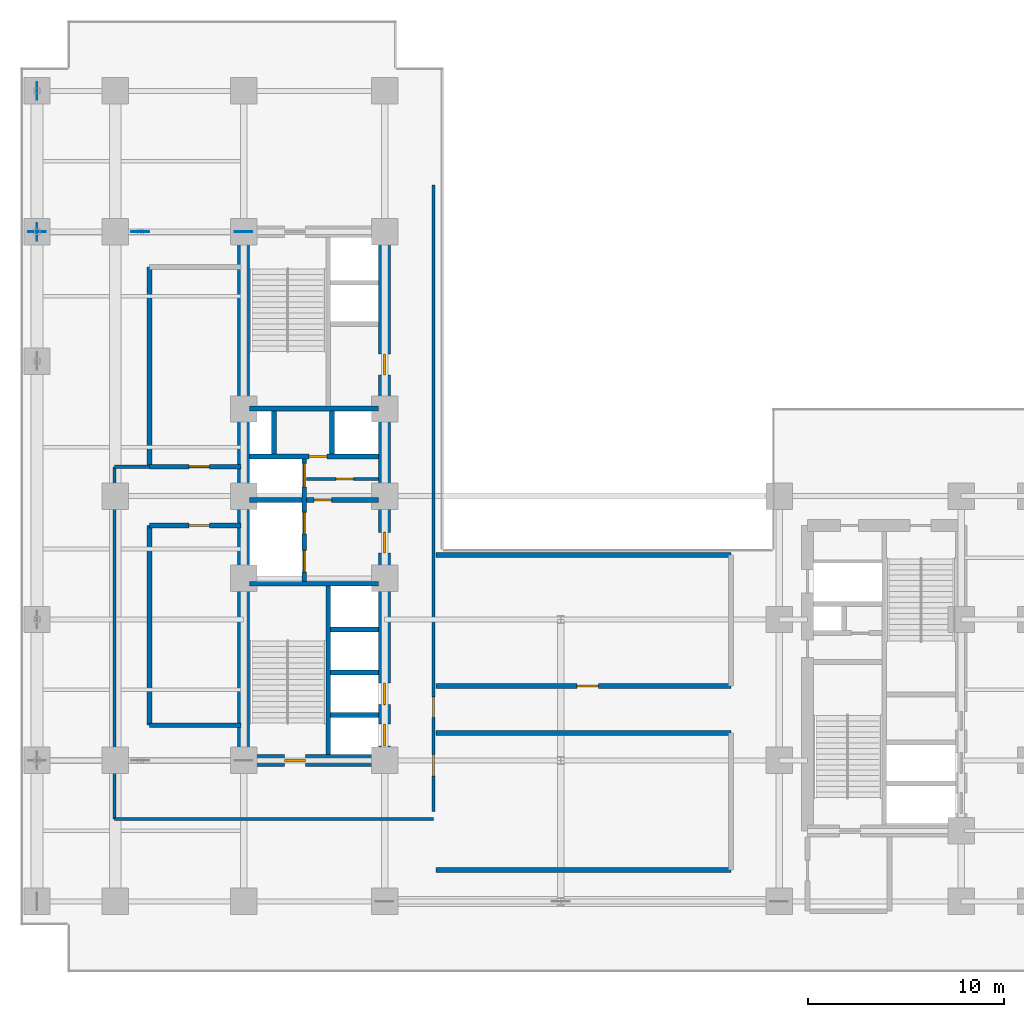
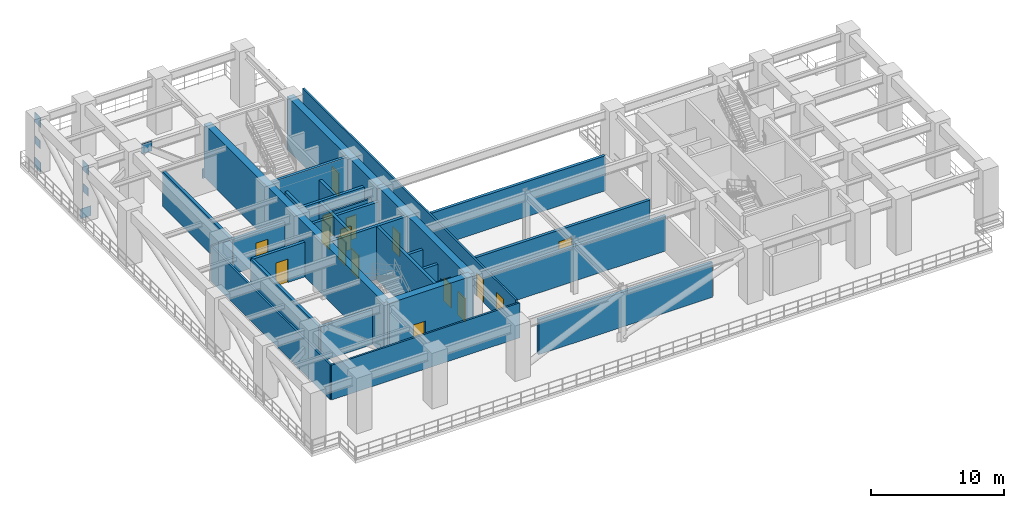
# One storey, part 6 of 15: 29 walls, 16 doors, 8 plates, 16 openings.
"""IFC4 building model written with IfcOpenShell, lengths in metres."""

from ifc_helpers import new_model, entity, si_unit, converted_unit, direction, frame, origin_with_axes, origin_2d_with_axis, place, context, subcontext, project, spatial, polyline, rectangle, outline, extrude, material, layer, layer_set, type_object, element, fill, save


model = new_model("IFC4")

# Units and contexts
model_context = context("Model", 3, precision=1e-05, world=origin_with_axes(), true_north=direction((0.0, 1.0)))
body_context = subcontext(model_context, "Body", "Model", "MODEL_VIEW")
ifc_project = project(units=[si_unit("LENGTHUNIT", "METRE"), si_unit("AREAUNIT", "SQUARE_METRE"), si_unit("VOLUMEUNIT", "CUBIC_METRE"), converted_unit("PLANEANGLEUNIT", "DEGREE", entity("IfcPlaneAngleMeasure", 0.017453292519943295), si_unit("PLANEANGLEUNIT", "RADIAN"), dimensions=[0, 0, 0, 0, 0, 0, 0]), si_unit("MASSUNIT", "GRAM", prefix="KILO"), si_unit("THERMODYNAMICTEMPERATUREUNIT", "KELVIN")], contexts=[model_context])

# Site, building, storey
site_placement = place(None, origin_with_axes())
site = spatial("IfcSite", under=ifc_project, at=site_placement, CompositionType="ELEMENT")
building_placement = place(site_placement, origin_with_axes())
building = spatial("IfcBuilding", under=site, at=building_placement, Name="Varnlund Millrace Tower", CompositionType="ELEMENT")
storey_placement = place(building_placement, frame((0.0, 0.0, 79.5), z_axis=(0.0, 0.0, 1.0), x_axis=(1.0, 0.0, 0.0)))
storey = spatial("IfcBuildingStorey", under=building, at=storey_placement, Name="L19", CompositionType="ELEMENT", Elevation=79.5)

# Plates
ifc_material_1 = material(Name="Steel ASTM A572 Grade 50", Category="steel")
ifc_layer_1 = layer(ifc_material_1, 0.04, Name="Steel ASTM A572 Grade 50")
ifc_layer_set_1 = layer_set([ifc_layer_1], Name="Steel ASTM A572 Grade 50")
plate_type_1 = type_object("IfcPlateType", Name="Type-Gusset-Plate-900X900X40", PredefinedType="SHEET", material=ifc_layer_set_1)
for number, where, z_axis, x_axis, name in (
    (1, (0.85, 37.8, -0.1), (0.0, 0.0, 1.0), (1.0, 0.0, 0.0), "Type-Gusset-Plate-900X900X40"),
    (2, (0.85, 37.8, 4.0), (0.0, 0.0, 1.0), (0.0, 1.0, 0.0), "Type-Gusset-Plate-900X900X40"),
    (3, (0.85, 45.0, -0.1), (0.0, 0.0, 1.0), (0.0, 1.0, 0.0), "Type-Gusset-Plate-900X900X40"),
    (4, (0.85, 45.0, 4.0), (0.0, 0.0, 1.0), (0.0, 1.0, 0.0), "Type-Gusset-Plate-900X900X40"),
    (5, (6.125, 37.8, 4.0), (0.0, 0.0, 1.0), (1.0, 0.0, 0.0), "Type-Gusset-Plate-900X900X40"),
    (6, (11.4, 37.8, -0.1), (0.0, 0.0, 1.0), (1.0, 0.0, 0.0), "Type-Gusset-Plate-900X900X40"),
):
    element("IfcPlate", number, at=place(storey_placement, frame(where, z_axis=z_axis, x_axis=x_axis)), inside=storey, type_object=plate_type_1, Name=name, PredefinedType="SHEET", context=body_context, shape_type="SweptSolid", body=[
        extrude(rectangle(XDim=0.9, YDim=0.04, at=origin_2d_with_axis()), origin_with_axes(), (0.0, 0.0, 1.0), 0.9),
    ])
ifc_layer_2 = layer(ifc_material_1, 0.032, Name="Steel ASTM A572 Grade 50")
ifc_layer_set_2 = layer_set([ifc_layer_2], Name="Steel ASTM A572 Grade 50")
plate_type_2 = type_object("IfcPlateType", Name="Type-Stiffener-Plate-750X750X32", PredefinedType="USERDEFINED", material=ifc_layer_set_2)
for number, where, z_axis, x_axis, name in (
    (7, (0.85, 37.8, 2.025), (0.0, 0.0, 1.0), (0.0, 1.0, 0.0), "Type-Stiffener-Plate-750X750X32"),
    (8, (0.85, 45.0, 2.025), (0.0, 0.0, 1.0), (0.0, 1.0, 0.0), "Type-Stiffener-Plate-750X750X32"),
):
    element("IfcPlate", number, at=place(storey_placement, frame(where, z_axis=z_axis, x_axis=x_axis)), inside=storey, type_object=plate_type_2, Name=name, ObjectType="STIFFENER PLATE", PredefinedType="USERDEFINED", context=body_context, shape_type="SweptSolid", body=[
        extrude(rectangle(XDim=0.75, YDim=0.032, at=origin_2d_with_axis()), origin_with_axes(), (0.0, 0.0, 1.0), 0.75),
    ])

# Wall
ifc_material_2 = material(Name="Concrete C80/95", Category="concrete")
ifc_layer_3 = layer(ifc_material_2, 0.6, Name="Concrete C80/95")
ifc_layer_set_3 = layer_set([ifc_layer_3], Name="Concrete C80/95")
wall_type_1 = type_object("IfcWallType", Name="Type-CoreWall-Shear-600-C80", PredefinedType="SHEAR", material=ifc_layer_set_3)
wall_1_placement = place(storey_placement, frame((11.4, 10.8, 0.0), z_axis=(0.0, 0.0, 1.0), x_axis=(0.0, 1.0, 0.0)))
element("IfcWall", 9, at=wall_1_placement, inside=storey, type_object=wall_type_1, Name="Type-CoreWall-Shear-600-C80", PredefinedType="SHEAR", context=body_context, shape_type="SweptSolid", body=[
    extrude(outline(polyline([(0.0, -0.3), (27.0, -0.3), (27.0, 0.3), (0.0, 0.3), (0.0, -0.3)])), origin_with_axes(), (0.0, 0.0, 1.0), 4.86),
])

# Wall, opening, door
wall_2_placement = place(storey_placement, frame((11.4, 10.8, 0.0), z_axis=(0.0, 0.0, 1.0), x_axis=(1.0, 0.0, 0.0)))
wall_2 = element("IfcWall", 10, at=wall_2_placement, inside=storey, type_object=wall_type_1, Name="Type-CoreWall-Shear-600-C80", PredefinedType="SHEAR", context=body_context, shape_type="SweptSolid", body=[
    extrude(outline(polyline([(0.0, -0.3), (7.2, -0.3), (7.2, 0.3), (0.0, 0.3), (0.0, -0.3)])), origin_with_axes(), (0.0, 0.0, 1.0), 4.86),
])
opening_1_placement = place(wall_2_placement, frame((2.625, 0.0, 0.0), z_axis=(0.0, 0.0, 1.0), x_axis=(1.0, 0.0, 0.0)))
opening_1 = element("IfcOpeningElement", 11, at=opening_1_placement, cuts=wall_2, Name="Opening L19:DR-STA1", PredefinedType="OPENING", context=body_context, shape_type="SweptSolid", body=[
    extrude(rectangle(XDim=1.05, YDim=0.62, at=origin_2d_with_axis()), origin_with_axes(), (0.0, 0.0, 1.0), 2.15),
])
ifc_material_3 = material(Name="Fire-rated hollow steel door", Category="steel")
door_type_1 = type_object("IfcDoorType", Name="Type-FireDoor-Stair-1050X2150", OperationType="NOTDEFINED", PredefinedType="DOOR", material=ifc_material_3)
door_1_placement = place(wall_2_placement, frame((2.625, 0.0, 0.0), z_axis=(0.0, 0.0, 1.0), x_axis=(1.0, 0.0, 0.0)))
door_1 = element("IfcDoor", 12, at=door_1_placement, inside=storey, type_object=door_type_1, Name="Type-FireDoor-Stair-1050X2150", OperationType="SINGLE_SWING_LEFT", OverallHeight=2.15, OverallWidth=1.05, PredefinedType="DOOR", context=body_context, shape_type="SweptSolid", body=[
    extrude(rectangle(XDim=1.05, YDim=0.09, at=origin_2d_with_axis()), origin_with_axes(), (0.0, 0.0, 1.0), 2.15),
])
fill(opening_1, door_1)

# Wall, openings, doors
wall_3_placement = place(storey_placement, frame((18.6, 10.8, 0.0), z_axis=(0.0, 0.0, 1.0), x_axis=(0.0, 1.0, 0.0)))
wall_3 = element("IfcWall", 13, at=wall_3_placement, inside=storey, type_object=wall_type_1, Name="Type-CoreWall-Shear-600-C80", PredefinedType="SHEAR", context=body_context, shape_type="SweptSolid", body=[
    extrude(outline(polyline([(0.0, -0.3), (13.5, -0.3), (13.5, 0.3), (0.0, 0.3), (0.0, -0.3)])), origin_with_axes(), (0.0, 0.0, 1.0), 4.86),
])
opening_2_placement = place(wall_3_placement, frame((1.3, 0.0, 0.0), z_axis=(0.0, 0.0, 1.0), x_axis=(1.0, 0.0, 0.0)))
opening_2 = element("IfcOpeningElement", 14, at=opening_2_placement, cuts=wall_3, Name="Opening L19:LD-ELV-L1", PredefinedType="OPENING", context=body_context, shape_type="SweptSolid", body=[
    extrude(rectangle(XDim=1.1, YDim=0.62, at=origin_2d_with_axis()), origin_with_axes(), (0.0, 0.0, 1.0), 2.15),
])
opening_3_placement = place(wall_3_placement, frame((3.4, 0.0, 0.0), z_axis=(0.0, 0.0, 1.0), x_axis=(1.0, 0.0, 0.0)))
opening_3 = element("IfcOpeningElement", 15, at=opening_3_placement, cuts=wall_3, Name="Opening L19:LD-ELV-L2", PredefinedType="OPENING", context=body_context, shape_type="SweptSolid", body=[
    extrude(rectangle(XDim=1.1, YDim=0.62, at=origin_2d_with_axis()), origin_with_axes(), (0.0, 0.0, 1.0), 2.15),
])
opening_4_placement = place(wall_3_placement, frame((11.125, 0.0, 0.0), z_axis=(0.0, 0.0, 1.0), x_axis=(1.0, 0.0, 0.0)))
opening_4 = element("IfcOpeningElement", 16, at=opening_4_placement, cuts=wall_3, Name="Opening L19:DR-FFLOB-A", PredefinedType="OPENING", context=body_context, shape_type="SweptSolid", body=[
    extrude(rectangle(XDim=1.05, YDim=0.62, at=origin_2d_with_axis()), origin_with_axes(), (0.0, 0.0, 1.0), 2.15),
])
ifc_material_4 = material(Name="Smoke-barrier hollow steel fire door", Category="steel")
door_type_2 = type_object("IfcDoorType", Name="Type-FireDoor-Lobby-1050X2150", OperationType="NOTDEFINED", PredefinedType="DOOR", material=ifc_material_4)
door_2_placement = place(wall_3_placement, frame((11.125, 0.0, 0.0), z_axis=(0.0, 0.0, 1.0), x_axis=(1.0, 0.0, 0.0)))
door_2 = element("IfcDoor", 17, at=door_2_placement, inside=storey, type_object=door_type_2, Name="Type-FireDoor-Lobby-1050X2150", OperationType="SINGLE_SWING_LEFT", OverallHeight=2.15, OverallWidth=1.05, PredefinedType="DOOR", context=body_context, shape_type="SweptSolid", body=[
    extrude(rectangle(XDim=1.05, YDim=0.09, at=origin_2d_with_axis()), origin_with_axes(), (0.0, 0.0, 1.0), 2.15),
])
fill(opening_4, door_2)
ifc_material_5 = material(Name="Stainless and architectural bronze sliding landing door")
door_type_3 = type_object("IfcDoorType", Name="Type-LiftLandingDoor-1100X2150", OperationType="NOTDEFINED", PredefinedType="DOOR", material=ifc_material_5)
door_3_placement = place(wall_3_placement, frame((1.3, 0.0, 0.0), z_axis=(0.0, 0.0, 1.0), x_axis=(1.0, 0.0, 0.0)))
door_3 = element("IfcDoor", 18, at=door_3_placement, inside=storey, type_object=door_type_3, Name="Type-LiftLandingDoor-1100X2150", OperationType="SLIDING_TO_LEFT", OverallHeight=2.15, OverallWidth=1.1, PredefinedType="DOOR", context=body_context, shape_type="SweptSolid", body=[
    extrude(rectangle(XDim=1.1, YDim=0.09, at=origin_2d_with_axis()), origin_with_axes(), (0.0, 0.0, 1.0), 2.15),
])
fill(opening_2, door_3)
door_4_placement = place(wall_3_placement, frame((3.4, 0.0, 0.0), z_axis=(0.0, 0.0, 1.0), x_axis=(1.0, 0.0, 0.0)))
door_4 = element("IfcDoor", 19, at=door_4_placement, inside=storey, type_object=door_type_3, Name="Type-LiftLandingDoor-1100X2150", OperationType="SLIDING_TO_RIGHT", OverallHeight=2.15, OverallWidth=1.1, PredefinedType="DOOR", context=body_context, shape_type="SweptSolid", body=[
    extrude(rectangle(XDim=1.1, YDim=0.09, at=origin_2d_with_axis()), origin_with_axes(), (0.0, 0.0, 1.0), 2.15),
])
fill(opening_3, door_4)

# Wall, opening, door
wall_4_placement = place(storey_placement, frame((18.6, 24.3, 0.0), z_axis=(0.0, 0.0, 1.0), x_axis=(0.0, 1.0, 0.0)))
wall_4 = element("IfcWall", 20, at=wall_4_placement, inside=storey, type_object=wall_type_1, Name="Type-CoreWall-Shear-600-C80", PredefinedType="SHEAR", context=body_context, shape_type="SweptSolid", body=[
    extrude(outline(polyline([(0.0, -0.3), (13.5, -0.3), (13.5, 0.3), (0.0, 0.3), (0.0, -0.3)])), origin_with_axes(), (0.0, 0.0, 1.0), 4.86),
])
opening_5_placement = place(wall_4_placement, frame((6.725, 0.0, 0.0), z_axis=(0.0, 0.0, 1.0), x_axis=(1.0, 0.0, 0.0)))
opening_5 = element("IfcOpeningElement", 21, at=opening_5_placement, cuts=wall_4, Name="Opening L19:DR-CA-WC1", PredefinedType="OPENING", context=body_context, shape_type="SweptSolid", body=[
    extrude(rectangle(XDim=1.05, YDim=0.62, at=origin_2d_with_axis()), origin_with_axes(), (0.0, 0.0, 1.0), 2.15),
])
door_5_placement = place(wall_4_placement, frame((6.725, 0.0, 0.0), z_axis=(0.0, 0.0, 1.0), x_axis=(1.0, 0.0, 0.0)))
door_5 = element("IfcDoor", 22, at=door_5_placement, inside=storey, type_object=door_type_2, Name="Type-FireDoor-Lobby-1050X2150", OperationType="SINGLE_SWING_LEFT", OverallHeight=2.15, OverallWidth=1.05, PredefinedType="DOOR", context=body_context, shape_type="SweptSolid", body=[
    extrude(rectangle(XDim=1.05, YDim=0.09, at=origin_2d_with_axis()), origin_with_axes(), (0.0, 0.0, 1.0), 2.15),
])
fill(opening_5, door_5)

ifc_material_6 = material(Name="Fire-rated gypsum board on cold-formed steel framing", Category="steel")
ifc_layer_4 = layer(ifc_material_6, 0.16, Name="Fire-rated gypsum board on cold-formed steel framing")
ifc_layer_set_4 = layer_set([ifc_layer_4], Name="Fire-rated gypsum board on cold-formed steel framing")
wall_type_2 = type_object("IfcWallType", Name="Type-Partition-Corridor-160", PredefinedType="PARTITIONING", material=ifc_layer_set_4)
wall_5_placement = place(storey_placement, frame((14.62, 25.18, 0.0), z_axis=(0.0, 0.0, 1.0), x_axis=(1.0, 0.0, 0.0)))
wall_5 = element("IfcWall", 23, at=wall_5_placement, inside=storey, type_object=wall_type_2, Name="Type-Partition-Corridor-160", PredefinedType="PARTITIONING", context=body_context, shape_type="SweptSolid", body=[
    extrude(outline(polyline([(0.0, -0.08), (3.68, -0.08), (3.68, 0.08), (0.0, 0.08), (0.0, -0.08)])), origin_with_axes(), (0.0, 0.0, 1.0), 3.2),
])
opening_6_placement = place(wall_5_placement, frame((1.95, 0.0, 0.0), z_axis=(0.0, 0.0, 1.0), x_axis=(1.0, 0.0, 0.0)))
opening_6 = element("IfcOpeningElement", 24, at=opening_6_placement, cuts=wall_5, Name="Opening L19:DR-CA-SUB2", PredefinedType="OPENING", context=body_context, shape_type="SweptSolid", body=[
    extrude(rectangle(XDim=0.9, YDim=0.18, at=origin_2d_with_axis()), origin_with_axes(), (0.0, 0.0, 1.0), 2.15),
])
ifc_material_7 = material(Name="Painted steel riser and closet door", Category="steel")
door_type_4 = type_object("IfcDoorType", Name="Type-IntDoor-Closet-900X2150", OperationType="NOTDEFINED", PredefinedType="DOOR", material=ifc_material_7)
door_6_placement = place(wall_5_placement, frame((1.95, 0.0, 0.0), z_axis=(0.0, 0.0, 1.0), x_axis=(1.0, 0.0, 0.0)))
door_6 = element("IfcDoor", 25, at=door_6_placement, inside=storey, type_object=door_type_4, Name="Type-IntDoor-Closet-900X2150", OperationType="SINGLE_SWING_LEFT", OverallHeight=2.15, OverallWidth=0.9, PredefinedType="DOOR", context=body_context, shape_type="SweptSolid", body=[
    extrude(rectangle(XDim=0.9, YDim=0.09, at=origin_2d_with_axis()), origin_with_axes(), (0.0, 0.0, 1.0), 2.15),
])
fill(opening_6, door_6)

# Wall, openings, doors
wall_6_placement = place(storey_placement, frame((21.1, 8.2, 0.0), z_axis=(0.0, 0.0, 1.0), x_axis=(0.0, 1.0, 0.0)))
wall_6 = element("IfcWall", 26, at=wall_6_placement, inside=storey, type_object=wall_type_2, Name="Type-Partition-Corridor-160", PredefinedType="PARTITIONING", context=body_context, shape_type="SweptSolid", body=[
    extrude(outline(polyline([(0.0, -0.08), (32.0, -0.08), (32.0, 0.08), (0.0, 0.08), (0.0, -0.08)])), origin_with_axes(), (0.0, 0.0, 1.0), 3.2),
])
opening_7_placement = place(wall_6_placement, frame((5.325, 0.0, 0.0), z_axis=(0.0, 0.0, 1.0), x_axis=(1.0, 0.0, 0.0)))
opening_7 = element("IfcOpeningElement", 27, at=opening_7_placement, cuts=wall_6, Name="Opening L19:DR-PLT-XOVR", PredefinedType="OPENING", context=body_context, shape_type="SweptSolid", body=[
    extrude(rectangle(XDim=1.05, YDim=0.18, at=origin_2d_with_axis()), origin_with_axes(), (0.0, 0.0, 1.0), 2.15),
])
opening_8_placement = place(wall_6_placement, frame((2.35, 0.0, 0.0), z_axis=(0.0, 0.0, 1.0), x_axis=(1.0, 0.0, 0.0)))
opening_8 = element("IfcOpeningElement", 28, at=opening_8_placement, cuts=wall_6, Name="Opening L19:DR-PLT-HEX", PredefinedType="OPENING", context=body_context, shape_type="SweptSolid", body=[
    extrude(rectangle(XDim=1.1, YDim=0.18, at=origin_2d_with_axis()), origin_with_axes(), (0.0, 0.0, 1.0), 2.15),
])
door_7_placement = place(wall_6_placement, frame((5.325, 0.0, 0.0), z_axis=(0.0, 0.0, 1.0), x_axis=(1.0, 0.0, 0.0)))
door_7 = element("IfcDoor", 29, at=door_7_placement, inside=storey, type_object=door_type_2, Name="Type-FireDoor-Lobby-1050X2150", OperationType="SINGLE_SWING_LEFT", OverallHeight=2.15, OverallWidth=1.05, PredefinedType="DOOR", context=body_context, shape_type="SweptSolid", body=[
    extrude(rectangle(XDim=1.05, YDim=0.09, at=origin_2d_with_axis()), origin_with_axes(), (0.0, 0.0, 1.0), 2.15),
])
fill(opening_7, door_7)
ifc_material_8 = material(Name="Fire-rated mechanical room steel door", Category="steel")
door_type_5 = type_object("IfcDoorType", Name="Type-FireDoor-Plant-1100X2150", OperationType="NOTDEFINED", PredefinedType="DOOR", material=ifc_material_8)
door_8_placement = place(wall_6_placement, frame((2.35, 0.0, 0.0), z_axis=(0.0, 0.0, 1.0), x_axis=(1.0, 0.0, 0.0)))
door_8 = element("IfcDoor", 30, at=door_8_placement, inside=storey, type_object=door_type_5, Name="Type-FireDoor-Plant-1100X2150", OperationType="SINGLE_SWING_RIGHT", OverallHeight=2.15, OverallWidth=1.1, PredefinedType="DOOR", context=body_context, shape_type="SweptSolid", body=[
    extrude(rectangle(XDim=1.1, YDim=0.09, at=origin_2d_with_axis()), origin_with_axes(), (0.0, 0.0, 1.0), 2.15),
])
fill(opening_8, door_8)

# Walls
wall_7_placement = place(storey_placement, frame((4.8, 7.8, 0.0), z_axis=(0.0, 0.0, 1.0), x_axis=(0.0, 1.0, 0.0)))
element("IfcWall", 31, at=wall_7_placement, inside=storey, type_object=wall_type_2, Name="Type-Partition-Corridor-160", PredefinedType="PARTITIONING", context=body_context, shape_type="SweptSolid", body=[
    extrude(outline(polyline([(0.0, -0.08), (18.0, -0.08), (18.0, 0.08), (0.0, 0.08), (0.0, -0.08)])), origin_with_axes(), (0.0, 0.0, 1.0), 3.2),
])
wall_8_placement = place(storey_placement, frame((4.8, 7.8, 0.0), z_axis=(0.0, 0.0, 1.0), x_axis=(1.0, 0.0, 0.0)))
element("IfcWall", 32, at=wall_8_placement, inside=storey, type_object=wall_type_2, Name="Type-Partition-Corridor-160", PredefinedType="PARTITIONING", context=body_context, shape_type="SweptSolid", body=[
    extrude(outline(polyline([(0.0, -0.08), (16.3, -0.08), (16.3, 0.08), (0.0, 0.08), (0.0, -0.08)])), origin_with_axes(), (0.0, 0.0, 1.0), 3.2),
])
wall_9_placement = place(storey_placement, frame((4.8, 25.8, 0.0), z_axis=(0.0, 0.0, 1.0), x_axis=(1.0, 0.0, 0.0)))
element("IfcWall", 33, at=wall_9_placement, inside=storey, type_object=wall_type_2, Name="Type-Partition-Corridor-160", PredefinedType="PARTITIONING", context=body_context, shape_type="SweptSolid", body=[
    extrude(outline(polyline([(0.0, -0.08), (1.8, -0.08), (1.8, 0.08), (0.0, 0.08), (0.0, -0.08)])), origin_with_axes(), (0.0, 0.0, 1.0), 3.2),
])

# Wall, openings, doors
ifc_material_9 = material(Name="Concrete C60/75", Category="concrete")
ifc_layer_5 = layer(ifc_material_9, 0.25, Name="Concrete C60/75")
ifc_layer_set_5 = layer_set([ifc_layer_5], Name="Concrete C60/75")
wall_type_3 = type_object("IfcWallType", Name="Type-ShaftWall-Fire-250", PredefinedType="SOLIDWALL", material=ifc_layer_set_5)
wall_10_placement = place(storey_placement, frame((14.5, 19.95, 0.0), z_axis=(0.0, 0.0, 1.0), x_axis=(0.0, 1.0, 0.0)))
wall_10 = element("IfcWall", 34, at=wall_10_placement, inside=storey, type_object=wall_type_3, Name="Type-ShaftWall-Fire-250", PredefinedType="SOLIDWALL", context=body_context, shape_type="SweptSolid", body=[
    extrude(outline(polyline([(0.0, -0.125), (6.25, -0.125), (6.25, 0.125), (0.0, 0.125), (0.0, -0.125)])), origin_with_axes(), (0.0, 0.0, 1.0), 3.6),
])
opening_9_placement = place(wall_10_placement, frame((1.025, 0.0, 0.0), z_axis=(0.0, 0.0, 1.0), x_axis=(1.0, 0.0, 0.0)))
opening_9 = element("IfcOpeningElement", 35, at=opening_9_placement, cuts=wall_10, Name="Opening L19:LD-FSAE1", PredefinedType="OPENING", context=body_context, shape_type="SweptSolid", body=[
    extrude(rectangle(XDim=1.1, YDim=0.27, at=origin_2d_with_axis()), origin_with_axes(), (0.0, 0.0, 1.0), 2.15),
])
opening_10_placement = place(wall_10_placement, frame((2.975, 0.0, 0.0), z_axis=(0.0, 0.0, 1.0), x_axis=(1.0, 0.0, 0.0)))
opening_10 = element("IfcOpeningElement", 36, at=opening_10_placement, cuts=wall_10, Name="Opening L19:LD-FSAE2", PredefinedType="OPENING", context=body_context, shape_type="SweptSolid", body=[
    extrude(rectangle(XDim=1.1, YDim=0.27, at=origin_2d_with_axis()), origin_with_axes(), (0.0, 0.0, 1.0), 2.15),
])
opening_11_placement = place(wall_10_placement, frame((5.425, 0.0, 0.0), z_axis=(0.0, 0.0, 1.0), x_axis=(1.0, 0.0, 0.0)))
opening_11 = element("IfcOpeningElement", 37, at=opening_11_placement, cuts=wall_10, Name="Opening L19:LD-SRV1", PredefinedType="OPENING", context=body_context, shape_type="SweptSolid", body=[
    extrude(rectangle(XDim=1.2, YDim=0.27, at=origin_2d_with_axis()), origin_with_axes(), (0.0, 0.0, 1.0), 2.15),
])
door_9_placement = place(wall_10_placement, frame((1.025, 0.0, 0.0), z_axis=(0.0, 0.0, 1.0), x_axis=(1.0, 0.0, 0.0)))
door_9 = element("IfcDoor", 38, at=door_9_placement, inside=storey, type_object=door_type_3, Name="Type-LiftLandingDoor-1100X2150", OperationType="SLIDING_TO_LEFT", OverallHeight=2.15, OverallWidth=1.1, PredefinedType="DOOR", context=body_context, shape_type="SweptSolid", body=[
    extrude(rectangle(XDim=1.1, YDim=0.09, at=origin_2d_with_axis()), origin_with_axes(), (0.0, 0.0, 1.0), 2.15),
])
fill(opening_9, door_9)
door_10_placement = place(wall_10_placement, frame((2.975, 0.0, 0.0), z_axis=(0.0, 0.0, 1.0), x_axis=(1.0, 0.0, 0.0)))
door_10 = element("IfcDoor", 39, at=door_10_placement, inside=storey, type_object=door_type_3, Name="Type-LiftLandingDoor-1100X2150", OperationType="SLIDING_TO_RIGHT", OverallHeight=2.15, OverallWidth=1.1, PredefinedType="DOOR", context=body_context, shape_type="SweptSolid", body=[
    extrude(rectangle(XDim=1.1, YDim=0.09, at=origin_2d_with_axis()), origin_with_axes(), (0.0, 0.0, 1.0), 2.15),
])
fill(opening_10, door_10)
ifc_material_10 = material(Name="Heavy-duty freight sliding landing door")
door_type_6 = type_object("IfcDoorType", Name="Type-LiftLandingDoor-Service-1200X2150", OperationType="NOTDEFINED", PredefinedType="DOOR", material=ifc_material_10)
door_11_placement = place(wall_10_placement, frame((5.425, 0.0, 0.0), z_axis=(0.0, 0.0, 1.0), x_axis=(1.0, 0.0, 0.0)))
door_11 = element("IfcDoor", 40, at=door_11_placement, inside=storey, type_object=door_type_6, Name="Type-LiftLandingDoor-Service-1200X2150", OperationType="DOUBLE_DOOR_SLIDING", OverallHeight=2.15, OverallWidth=1.2, PredefinedType="DOOR", context=body_context, shape_type="SweptSolid", body=[
    extrude(rectangle(XDim=1.2, YDim=0.09, at=origin_2d_with_axis()), origin_with_axes(), (0.0, 0.0, 1.0), 2.15),
])
fill(opening_11, door_11)

# Wall, opening, door
wall_11_placement = place(storey_placement, frame((11.7, 24.1, 0.0), z_axis=(0.0, 0.0, 1.0), x_axis=(1.0, 0.0, 0.0)))
wall_11 = element("IfcWall", 41, at=wall_11_placement, inside=storey, type_object=wall_type_3, Name="Type-ShaftWall-Fire-250", PredefinedType="SOLIDWALL", context=body_context, shape_type="SweptSolid", body=[
    extrude(outline(polyline([(0.0, -0.125), (6.6, -0.125), (6.6, 0.125), (0.0, 0.125), (0.0, -0.125)])), origin_with_axes(), (0.0, 0.0, 1.0), 3.6),
])
opening_12_placement = place(wall_11_placement, frame((3.75, 0.0, 0.0), z_axis=(0.0, 0.0, 1.0), x_axis=(1.0, 0.0, 0.0)))
opening_12 = element("IfcOpeningElement", 42, at=opening_12_placement, cuts=wall_11, Name="Opening L19:DR-CA-SUB1", PredefinedType="OPENING", context=body_context, shape_type="SweptSolid", body=[
    extrude(rectangle(XDim=0.9, YDim=0.27, at=origin_2d_with_axis()), origin_with_axes(), (0.0, 0.0, 1.0), 2.15),
])
ifc_material_11 = material(Name="Fire-rated hollow steel service closet door", Category="steel")
door_type_7 = type_object("IfcDoorType", Name="Type-FireDoor-Closet-900X2150", OperationType="NOTDEFINED", PredefinedType="DOOR", material=ifc_material_11)
door_12_placement = place(wall_11_placement, frame((3.75, 0.0, 0.0), z_axis=(0.0, 0.0, 1.0), x_axis=(1.0, 0.0, 0.0)))
door_12 = element("IfcDoor", 43, at=door_12_placement, inside=storey, type_object=door_type_7, Name="Type-FireDoor-Closet-900X2150", OperationType="SINGLE_SWING_LEFT", OverallHeight=2.15, OverallWidth=0.9, PredefinedType="DOOR", context=body_context, shape_type="SweptSolid", body=[
    extrude(rectangle(XDim=0.9, YDim=0.09, at=origin_2d_with_axis()), origin_with_axes(), (0.0, 0.0, 1.0), 2.15),
])
fill(opening_12, door_12)

wall_12_placement = place(storey_placement, frame((11.7, 26.325, 0.0), z_axis=(0.0, 0.0, 1.0), x_axis=(1.0, 0.0, 0.0)))
wall_12 = element("IfcWall", 44, at=wall_12_placement, inside=storey, type_object=wall_type_3, Name="Type-ShaftWall-Fire-250", PredefinedType="SOLIDWALL", context=body_context, shape_type="SweptSolid", body=[
    extrude(outline(polyline([(0.0, -0.125), (6.6, -0.125), (6.6, 0.125), (0.0, 0.125), (0.0, -0.125)])), origin_with_axes(), (0.0, 0.0, 1.0), 3.6),
])
opening_13_placement = place(wall_12_placement, frame((3.5, 0.0, 0.0), z_axis=(0.0, 0.0, 1.0), x_axis=(1.0, 0.0, 0.0)))
opening_13 = element("IfcOpeningElement", 45, at=opening_13_placement, cuts=wall_12, Name="Opening L19:DR-CA-ELC", PredefinedType="OPENING", context=body_context, shape_type="SweptSolid", body=[
    extrude(rectangle(XDim=0.9, YDim=0.27, at=origin_2d_with_axis()), origin_with_axes(), (0.0, 0.0, 1.0), 2.15),
])
door_13_placement = place(wall_12_placement, frame((3.5, 0.0, 0.0), z_axis=(0.0, 0.0, 1.0), x_axis=(1.0, 0.0, 0.0)))
door_13 = element("IfcDoor", 46, at=door_13_placement, inside=storey, type_object=door_type_7, Name="Type-FireDoor-Closet-900X2150", OperationType="SINGLE_SWING_LEFT", OverallHeight=2.15, OverallWidth=0.9, PredefinedType="DOOR", context=body_context, shape_type="SweptSolid", body=[
    extrude(rectangle(XDim=0.9, YDim=0.09, at=origin_2d_with_axis()), origin_with_axes(), (0.0, 0.0, 1.0), 2.15),
])
fill(opening_13, door_13)

# Walls
for number, where, z_axis, x_axis, name in (
    (47, (12.96, 26.45, 0.0), (0.0, 0.0, 1.0), (0.0, 1.0, 0.0), "Type-ShaftWall-Fire-250"),
    (48, (15.925, 26.45, 0.0), (0.0, 0.0, 1.0), (0.0, 1.0, 0.0), "Type-ShaftWall-Fire-250"),
):
    element("IfcWall", number, at=place(storey_placement, frame(where, z_axis=z_axis, x_axis=x_axis)), inside=storey, type_object=wall_type_3, Name=name, PredefinedType="SOLIDWALL", context=body_context, shape_type="SweptSolid", body=[
        extrude(outline(polyline([(0.0, -0.125), (2.2, -0.125), (2.2, 0.125), (0.0, 0.125), (0.0, -0.125)])), origin_with_axes(), (0.0, 0.0, 1.0), 3.6),
    ])
for number, where, z_axis, x_axis, name in (
    (49, (15.84, 13.13, 0.0), (0.0, 0.0, 1.0), (1.0, 0.0, 0.0), "Type-ShaftWall-Fire-250"),
    (50, (15.84, 15.29, 0.0), (0.0, 0.0, 1.0), (1.0, 0.0, 0.0), "Type-ShaftWall-Fire-250"),
    (51, (15.84, 17.49, 0.0), (0.0, 0.0, 1.0), (1.0, 0.0, 0.0), "Type-ShaftWall-Fire-250"),
):
    element("IfcWall", number, at=place(storey_placement, frame(where, z_axis=z_axis, x_axis=x_axis)), inside=storey, type_object=wall_type_3, Name=name, PredefinedType="SOLIDWALL", context=body_context, shape_type="SweptSolid", body=[
        extrude(outline(polyline([(0.0, -0.125), (2.46, -0.125), (2.46, 0.125), (0.0, 0.125), (0.0, -0.125)])), origin_with_axes(), (0.0, 0.0, 1.0), 3.2),
    ])
wall_13_placement = place(storey_placement, frame((6.6, 12.6, 0.0), z_axis=(0.0, 0.0, 1.0), x_axis=(0.0, 1.0, 0.0)))
element("IfcWall", 52, at=wall_13_placement, inside=storey, type_object=wall_type_3, Name="Type-ShaftWall-Fire-250", PredefinedType="SOLIDWALL", context=body_context, shape_type="SweptSolid", body=[
    extrude(outline(polyline([(0.0, -0.125), (10.2, -0.125), (10.2, 0.125), (0.0, 0.125), (0.0, -0.125)])), origin_with_axes(), (0.0, 0.0, 1.0), 3.2),
])
wall_14_placement = place(storey_placement, frame((6.6, 12.6, 0.0), z_axis=(0.0, 0.0, 1.0), x_axis=(1.0, 0.0, 0.0)))
element("IfcWall", 53, at=wall_14_placement, inside=storey, type_object=wall_type_3, Name="Type-ShaftWall-Fire-250", PredefinedType="SOLIDWALL", context=body_context, shape_type="SweptSolid", body=[
    extrude(outline(polyline([(0.0, -0.125), (4.67, -0.125), (4.67, 0.125), (0.0, 0.125), (0.0, -0.125)])), origin_with_axes(), (0.0, 0.0, 1.0), 3.2),
])

# Wall, opening, door
wall_15_placement = place(storey_placement, frame((6.6, 22.8, 0.0), z_axis=(0.0, 0.0, 1.0), x_axis=(1.0, 0.0, 0.0)))
wall_15 = element("IfcWall", 54, at=wall_15_placement, inside=storey, type_object=wall_type_3, Name="Type-ShaftWall-Fire-250", PredefinedType="SOLIDWALL", context=body_context, shape_type="SweptSolid", body=[
    extrude(outline(polyline([(0.0, -0.125), (4.67, -0.125), (4.67, 0.125), (0.0, 0.125), (0.0, -0.125)])), origin_with_axes(), (0.0, 0.0, 1.0), 3.2),
])
opening_14_placement = place(wall_15_placement, frame((2.525, 0.0, 0.0), z_axis=(0.0, 0.0, 1.0), x_axis=(1.0, 0.0, 0.0)))
opening_14 = element("IfcOpeningElement", 55, at=opening_14_placement, cuts=wall_15, Name="Opening L19:DR-REF-S", PredefinedType="OPENING", context=body_context, shape_type="SweptSolid", body=[
    extrude(rectangle(XDim=1.05, YDim=0.27, at=origin_2d_with_axis()), origin_with_axes(), (0.0, 0.0, 1.0), 2.15),
])
door_14_placement = place(wall_15_placement, frame((2.525, 0.0, 0.0), z_axis=(0.0, 0.0, 1.0), x_axis=(1.0, 0.0, 0.0)))
door_14 = element("IfcDoor", 56, at=door_14_placement, inside=storey, type_object=door_type_2, Name="Type-FireDoor-Lobby-1050X2150", OperationType="SINGLE_SWING_LEFT", OverallHeight=2.15, OverallWidth=1.05, PredefinedType="DOOR", context=body_context, shape_type="SweptSolid", body=[
    extrude(rectangle(XDim=1.05, YDim=0.09, at=origin_2d_with_axis()), origin_with_axes(), (0.0, 0.0, 1.0), 2.15),
])
fill(opening_14, door_14)

# Wall
wall_16_placement = place(storey_placement, frame((6.6, 25.8, 0.0), z_axis=(0.0, 0.0, 1.0), x_axis=(0.0, 1.0, 0.0)))
element("IfcWall", 57, at=wall_16_placement, inside=storey, type_object=wall_type_3, Name="Type-ShaftWall-Fire-250", PredefinedType="SOLIDWALL", context=body_context, shape_type="SweptSolid", body=[
    extrude(outline(polyline([(0.0, -0.125), (10.2, -0.125), (10.2, 0.125), (0.0, 0.125), (0.0, -0.125)])), origin_with_axes(), (0.0, 0.0, 1.0), 3.2),
])

# Wall, opening, door
wall_17_placement = place(storey_placement, frame((6.6, 25.8, 0.0), z_axis=(0.0, 0.0, 1.0), x_axis=(1.0, 0.0, 0.0)))
wall_17 = element("IfcWall", 58, at=wall_17_placement, inside=storey, type_object=wall_type_3, Name="Type-ShaftWall-Fire-250", PredefinedType="SOLIDWALL", context=body_context, shape_type="SweptSolid", body=[
    extrude(outline(polyline([(0.0, -0.125), (4.67, -0.125), (4.67, 0.125), (0.0, 0.125), (0.0, -0.125)])), origin_with_axes(), (0.0, 0.0, 1.0), 3.2),
])
opening_15_placement = place(wall_17_placement, frame((2.525, 0.0, 0.0), z_axis=(0.0, 0.0, 1.0), x_axis=(1.0, 0.0, 0.0)))
opening_15 = element("IfcOpeningElement", 59, at=opening_15_placement, cuts=wall_17, Name="Opening L19:DR-REF-N", PredefinedType="OPENING", context=body_context, shape_type="SweptSolid", body=[
    extrude(rectangle(XDim=1.05, YDim=0.27, at=origin_2d_with_axis()), origin_with_axes(), (0.0, 0.0, 1.0), 2.15),
])
door_15_placement = place(wall_17_placement, frame((2.525, 0.0, 0.0), z_axis=(0.0, 0.0, 1.0), x_axis=(1.0, 0.0, 0.0)))
door_15 = element("IfcDoor", 60, at=door_15_placement, inside=storey, type_object=door_type_2, Name="Type-FireDoor-Lobby-1050X2150", OperationType="SINGLE_SWING_RIGHT", OverallHeight=2.15, OverallWidth=1.05, PredefinedType="DOOR", context=body_context, shape_type="SweptSolid", body=[
    extrude(rectangle(XDim=1.05, YDim=0.09, at=origin_2d_with_axis()), origin_with_axes(), (0.0, 0.0, 1.0), 2.15),
])
fill(opening_15, door_15)

# Walls
for number, where, z_axis, x_axis, name in (
    (61, (21.22, 21.3, 0.0), (0.0, 0.0, 1.0), (1.0, 0.0, 0.0), "Type-ShaftWall-Fire-250"),
    (62, (21.22, 12.2, 0.0), (0.0, 0.0, 1.0), (1.0, 0.0, 0.0), "Type-ShaftWall-Fire-250"),
):
    element("IfcWall", number, at=place(storey_placement, frame(where, z_axis=z_axis, x_axis=x_axis)), inside=storey, type_object=wall_type_3, Name=name, PredefinedType="SOLIDWALL", context=body_context, shape_type="SweptSolid", body=[
        extrude(outline(polyline([(0.0, -0.125), (15.08, -0.125), (15.08, 0.125), (0.0, 0.125), (0.0, -0.125)])), origin_with_axes(), (0.0, 0.0, 1.0), 3.2),
    ])

# Wall, opening, door
wall_18_placement = place(storey_placement, frame((21.22, 14.6, 0.0), z_axis=(0.0, 0.0, 1.0), x_axis=(1.0, 0.0, 0.0)))
wall_18 = element("IfcWall", 63, at=wall_18_placement, inside=storey, type_object=wall_type_3, Name="Type-ShaftWall-Fire-250", PredefinedType="SOLIDWALL", context=body_context, shape_type="SweptSolid", body=[
    extrude(outline(polyline([(0.0, -0.125), (15.08, -0.125), (15.08, 0.125), (0.0, 0.125), (0.0, -0.125)])), origin_with_axes(), (0.0, 0.0, 1.0), 3.2),
])
opening_16_placement = place(wall_18_placement, frame((7.75, 0.0, 0.0), z_axis=(0.0, 0.0, 1.0), x_axis=(1.0, 0.0, 0.0)))
opening_16 = element("IfcOpeningElement", 64, at=opening_16_placement, cuts=wall_18, Name="Opening L19:DR-PLT-AHU", PredefinedType="OPENING", context=body_context, shape_type="SweptSolid", body=[
    extrude(rectangle(XDim=1.1, YDim=0.27, at=origin_2d_with_axis()), origin_with_axes(), (0.0, 0.0, 1.0), 2.15),
])
door_16_placement = place(wall_18_placement, frame((7.75, 0.0, 0.0), z_axis=(0.0, 0.0, 1.0), x_axis=(1.0, 0.0, 0.0)))
door_16 = element("IfcDoor", 65, at=door_16_placement, inside=storey, type_object=door_type_5, Name="Type-FireDoor-Plant-1100X2150", OperationType="SINGLE_SWING_LEFT", OverallHeight=2.15, OverallWidth=1.1, PredefinedType="DOOR", context=body_context, shape_type="SweptSolid", body=[
    extrude(rectangle(XDim=1.1, YDim=0.09, at=origin_2d_with_axis()), origin_with_axes(), (0.0, 0.0, 1.0), 2.15),
])
fill(opening_16, door_16)

# Walls
wall_19_placement = place(storey_placement, frame((21.22, 5.2, 0.0), z_axis=(0.0, 0.0, 1.0), x_axis=(1.0, 0.0, 0.0)))
element("IfcWall", 66, at=wall_19_placement, inside=storey, type_object=wall_type_3, Name="Type-ShaftWall-Fire-250", PredefinedType="SOLIDWALL", context=body_context, shape_type="SweptSolid", body=[
    extrude(outline(polyline([(0.0, -0.125), (15.08, -0.125), (15.08, 0.125), (0.0, 0.125), (0.0, -0.125)])), origin_with_axes(), (0.0, 0.0, 1.0), 3.2),
])
wall_type_4 = type_object("IfcWallType", Name="Type-StairWall-Shear-250", PredefinedType="SHEAR", material=ifc_layer_set_5)
wall_20_placement = place(storey_placement, frame((15.725, 11.1, 0.0), z_axis=(0.0, 0.0, 1.0), x_axis=(0.0, 1.0, 0.0)))
element("IfcWall", 67, at=wall_20_placement, inside=storey, type_object=wall_type_4, Name="Type-StairWall-Shear-250", PredefinedType="SHEAR", context=body_context, shape_type="SweptSolid", body=[
    extrude(outline(polyline([(0.0, -0.125), (8.6, -0.125), (8.6, 0.125), (0.0, 0.125), (0.0, -0.125)])), origin_with_axes(), (0.0, 0.0, 1.0), 4.86),
])
for number, where, z_axis, x_axis, name in (
    (68, (11.7, 19.825, 0.0), (0.0, 0.0, 1.0), (1.0, 0.0, 0.0), "Type-StairWall-Shear-250"),
    (69, (11.7, 28.775, 0.0), (0.0, 0.0, 1.0), (1.0, 0.0, 0.0), "Type-StairWall-Shear-250"),
):
    element("IfcWall", number, at=place(storey_placement, frame(where, z_axis=z_axis, x_axis=x_axis)), inside=storey, type_object=wall_type_4, Name=name, PredefinedType="SHEAR", context=body_context, shape_type="SweptSolid", body=[
        extrude(outline(polyline([(0.0, -0.125), (6.6, -0.125), (6.6, 0.125), (0.0, 0.125), (0.0, -0.125)])), origin_with_axes(), (0.0, 0.0, 1.0), 4.86),
    ])

save(model, "model.ifc")
